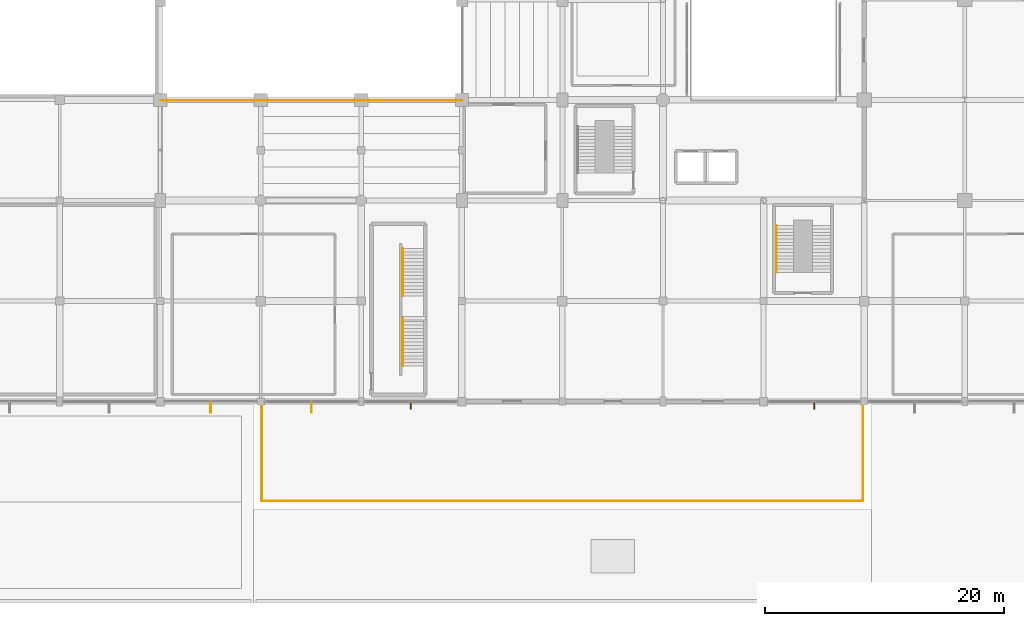
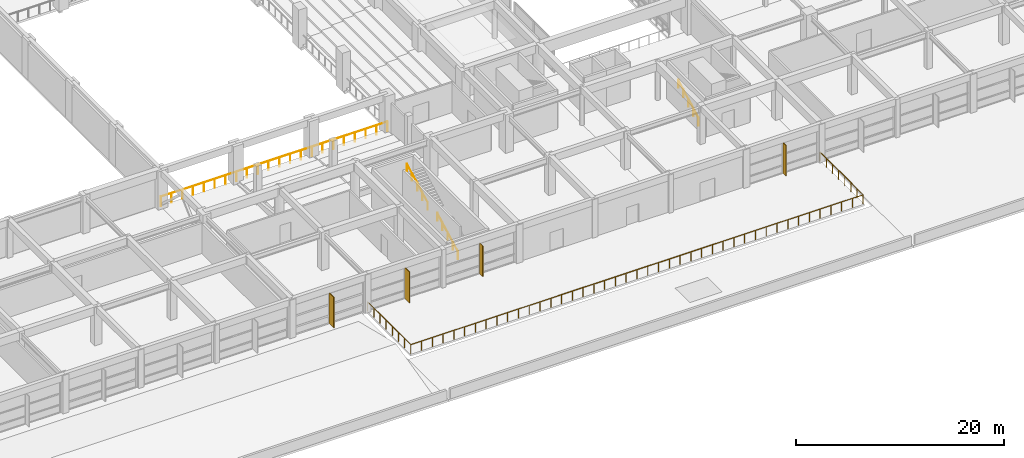
# One storey, part 54 of 60: 5 railings, 4 shading devices.
"""IFC4 building model written with IfcOpenShell, lengths in metres."""

from ifc_helpers import new_model, si_unit, direction, frame, origin, origin_2d, place, context, subcontext, project, spatial, rectangle, circle, extrude, material, type_object, element, save


model = new_model("IFC4")

# Units and contexts
model_context = context("Model", 3, precision=1e-05, world=origin(), true_north=direction((0.0, 1.0)))
body_context = subcontext(model_context, "Body", "Model", "MODEL_VIEW")
ifc_project = project(units=[si_unit("LENGTHUNIT", "METRE"), si_unit("AREAUNIT", "SQUARE_METRE"), si_unit("VOLUMEUNIT", "CUBIC_METRE"), si_unit("PLANEANGLEUNIT", "RADIAN"), si_unit("MASSUNIT", "GRAM", prefix="KILO")], contexts=[model_context])

# Site, building, storey
site_placement = place(None, origin())
site = spatial("IfcSite", under=ifc_project, at=site_placement, CompositionType="ELEMENT")
building_placement = place(site_placement, origin())
building = spatial("IfcBuilding", under=site, at=building_placement, Name="Xuanlan Plaza Opera House", CompositionType="ELEMENT")
storey_placement = place(building_placement, frame((0.0, 0.0, 9.89990234375)))
storey = spatial("IfcBuildingStorey", under=building, at=storey_placement, Name="L02", CompositionType="ELEMENT", Elevation=9.89990234375)

# Railing
ifc_material_1 = material(Name="Stainless Steel S30408 and Laminated Glass", Category="steel")
railing_type_1 = type_object("IfcRailingType", Name="ENV-RL-GR01", PredefinedType="GUARDRAIL", material=ifc_material_1)
railing_1_placement = place(storey_placement, frame((75.679931640625, 16.75, 0.0)))
element("IfcRailing", 1, at=railing_1_placement, inside=storey, type_object=railing_type_1, Name="Terrace Perimeter Guardrail TERR-L02", PredefinedType="GUARDRAIL", context=body_context, shape_type="SweptSolid", body=[
    extrude(circle(Radius=0.02392578125, at=origin_2d()), frame((0.0, 0.0, 1.076171875), z_axis=(0.0, -1.0, 0.0), x_axis=(1.0, 0.0, 0.0)), (0.0, 0.0, 1.0), 8.27001953125),
    extrude(circle(Radius=0.02392578125, at=origin_2d()), frame((0.0, -8.27001953125, 1.076171875), z_axis=(1.0, 0.0, 0.0), x_axis=(0.0, 1.0, 0.0)), (0.0, 0.0, 1.0), 50.239990234375),
    extrude(circle(Radius=0.02392578125, at=origin_2d()), frame((50.239990234375, -8.27001953125, 1.076171875), z_axis=(0.0, 1.0, 0.0), x_axis=(-1.0, 0.0, 0.0)), (0.0, 0.0, 1.0), 8.27001953125),
    extrude(circle(Radius=0.02099609375, at=origin_2d()), origin(), (0.0, 0.0, 1.0), 1.052001953125),
    extrude(circle(Radius=0.02099609375, at=origin_2d()), frame((0.0, -1.181396484375, 0.0)), (0.0, 0.0, 1.0), 1.052001953125),
    extrude(circle(Radius=0.02099609375, at=origin_2d()), frame((0.0, -2.36279296875, 0.0)), (0.0, 0.0, 1.0), 1.052001953125),
    extrude(circle(Radius=0.02099609375, at=origin_2d()), frame((0.0, -3.544189453125, 0.0)), (0.0, 0.0, 1.0), 1.052001953125),
    extrude(circle(Radius=0.02099609375, at=origin_2d()), frame((0.0, -4.725830078125, 0.0)), (0.0, 0.0, 1.0), 1.052001953125),
    extrude(circle(Radius=0.02099609375, at=origin_2d()), frame((0.0, -5.9072265625, 0.0)), (0.0, 0.0, 1.0), 1.052001953125),
    extrude(circle(Radius=0.02099609375, at=origin_2d()), frame((0.0, -7.088623046875, 0.0)), (0.0, 0.0, 1.0), 1.052001953125),
    extrude(circle(Radius=0.02099609375, at=origin_2d()), frame((0.0, -8.27001953125, 0.0)), (0.0, 0.0, 1.0), 1.052001953125),
    extrude(circle(Radius=0.02099609375, at=origin_2d()), frame((1.1962890625, -8.27001953125, 0.0)), (0.0, 0.0, 1.0), 1.052001953125),
    extrude(circle(Radius=0.02099609375, at=origin_2d()), frame((2.392333984375, -8.27001953125, 0.0)), (0.0, 0.0, 1.0), 1.052001953125),
    extrude(circle(Radius=0.02099609375, at=origin_2d()), frame((3.588623046875, -8.27001953125, 0.0)), (0.0, 0.0, 1.0), 1.052001953125),
    extrude(circle(Radius=0.02099609375, at=origin_2d()), frame((4.78466796875, -8.27001953125, 0.0)), (0.0, 0.0, 1.0), 1.052001953125),
    extrude(circle(Radius=0.02099609375, at=origin_2d()), frame((5.98095703125, -8.27001953125, 0.0)), (0.0, 0.0, 1.0), 1.052001953125),
    extrude(circle(Radius=0.02099609375, at=origin_2d()), frame((7.17724609375, -8.27001953125, 0.0)), (0.0, 0.0, 1.0), 1.052001953125),
    extrude(circle(Radius=0.02099609375, at=origin_2d()), frame((8.373291015625, -8.27001953125, 0.0)), (0.0, 0.0, 1.0), 1.052001953125),
    extrude(circle(Radius=0.02099609375, at=origin_2d()), frame((9.569580078125, -8.27001953125, 0.0)), (0.0, 0.0, 1.0), 1.052001953125),
    extrude(circle(Radius=0.02099609375, at=origin_2d()), frame((10.765625, -8.27001953125, 0.0)), (0.0, 0.0, 1.0), 1.052001953125),
    extrude(circle(Radius=0.02099609375, at=origin_2d()), frame((11.9619140625, -8.27001953125, 0.0)), (0.0, 0.0, 1.0), 1.052001953125),
    extrude(circle(Radius=0.02099609375, at=origin_2d()), frame((13.158203125, -8.27001953125, 0.0)), (0.0, 0.0, 1.0), 1.052001953125),
    extrude(circle(Radius=0.02099609375, at=origin_2d()), frame((14.354248046875, -8.27001953125, 0.0)), (0.0, 0.0, 1.0), 1.052001953125),
    extrude(circle(Radius=0.02099609375, at=origin_2d()), frame((15.550537109375, -8.27001953125, 0.0)), (0.0, 0.0, 1.0), 1.052001953125),
    extrude(circle(Radius=0.02099609375, at=origin_2d()), frame((16.74658203125, -8.27001953125, 0.0)), (0.0, 0.0, 1.0), 1.052001953125),
    extrude(circle(Radius=0.02099609375, at=origin_2d()), frame((17.94287109375, -8.27001953125, 0.0)), (0.0, 0.0, 1.0), 1.052001953125),
    extrude(circle(Radius=0.02099609375, at=origin_2d()), frame((19.13916015625, -8.27001953125, 0.0)), (0.0, 0.0, 1.0), 1.052001953125),
    extrude(circle(Radius=0.02099609375, at=origin_2d()), frame((20.335205078125, -8.27001953125, 0.0)), (0.0, 0.0, 1.0), 1.052001953125),
    extrude(circle(Radius=0.02099609375, at=origin_2d()), frame((21.531494140625, -8.27001953125, 0.0)), (0.0, 0.0, 1.0), 1.052001953125),
    extrude(circle(Radius=0.02099609375, at=origin_2d()), frame((22.7275390625, -8.27001953125, 0.0)), (0.0, 0.0, 1.0), 1.052001953125),
    extrude(circle(Radius=0.02099609375, at=origin_2d()), frame((23.923828125, -8.27001953125, 0.0)), (0.0, 0.0, 1.0), 1.052001953125),
    extrude(circle(Radius=0.02099609375, at=origin_2d()), frame((25.1201171875, -8.27001953125, 0.0)), (0.0, 0.0, 1.0), 1.052001953125),
    extrude(circle(Radius=0.02099609375, at=origin_2d()), frame((26.316162109375, -8.27001953125, 0.0)), (0.0, 0.0, 1.0), 1.052001953125),
    extrude(circle(Radius=0.02099609375, at=origin_2d()), frame((27.512451171875, -8.27001953125, 0.0)), (0.0, 0.0, 1.0), 1.052001953125),
    extrude(circle(Radius=0.02099609375, at=origin_2d()), frame((28.70849609375, -8.27001953125, 0.0)), (0.0, 0.0, 1.0), 1.052001953125),
    extrude(circle(Radius=0.02099609375, at=origin_2d()), frame((29.90478515625, -8.27001953125, 0.0)), (0.0, 0.0, 1.0), 1.052001953125),
    extrude(circle(Radius=0.02099609375, at=origin_2d()), frame((31.100830078125, -8.27001953125, 0.0)), (0.0, 0.0, 1.0), 1.052001953125),
    extrude(circle(Radius=0.02099609375, at=origin_2d()), frame((32.297119140625, -8.27001953125, 0.0)), (0.0, 0.0, 1.0), 1.052001953125),
    extrude(circle(Radius=0.02099609375, at=origin_2d()), frame((33.493408203125, -8.27001953125, 0.0)), (0.0, 0.0, 1.0), 1.052001953125),
    extrude(circle(Radius=0.02099609375, at=origin_2d()), frame((34.689453125, -8.27001953125, 0.0)), (0.0, 0.0, 1.0), 1.052001953125),
    extrude(circle(Radius=0.02099609375, at=origin_2d()), frame((35.8857421875, -8.27001953125, 0.0)), (0.0, 0.0, 1.0), 1.052001953125),
    extrude(circle(Radius=0.02099609375, at=origin_2d()), frame((37.081787109375, -8.27001953125, 0.0)), (0.0, 0.0, 1.0), 1.052001953125),
    extrude(circle(Radius=0.02099609375, at=origin_2d()), frame((38.278076171875, -8.27001953125, 0.0)), (0.0, 0.0, 1.0), 1.052001953125),
    extrude(circle(Radius=0.02099609375, at=origin_2d()), frame((39.474365234375, -8.27001953125, 0.0)), (0.0, 0.0, 1.0), 1.052001953125),
    extrude(circle(Radius=0.02099609375, at=origin_2d()), frame((40.67041015625, -8.27001953125, 0.0)), (0.0, 0.0, 1.0), 1.052001953125),
    extrude(circle(Radius=0.02099609375, at=origin_2d()), frame((41.86669921875, -8.27001953125, 0.0)), (0.0, 0.0, 1.0), 1.052001953125),
    extrude(circle(Radius=0.02099609375, at=origin_2d()), frame((43.062744140625, -8.27001953125, 0.0)), (0.0, 0.0, 1.0), 1.052001953125),
    extrude(circle(Radius=0.02099609375, at=origin_2d()), frame((44.259033203125, -8.27001953125, 0.0)), (0.0, 0.0, 1.0), 1.052001953125),
    extrude(circle(Radius=0.02099609375, at=origin_2d()), frame((45.455322265625, -8.27001953125, 0.0)), (0.0, 0.0, 1.0), 1.052001953125),
    extrude(circle(Radius=0.02099609375, at=origin_2d()), frame((46.6513671875, -8.27001953125, 0.0)), (0.0, 0.0, 1.0), 1.052001953125),
    extrude(circle(Radius=0.02099609375, at=origin_2d()), frame((47.84765625, -8.27001953125, 0.0)), (0.0, 0.0, 1.0), 1.052001953125),
    extrude(circle(Radius=0.02099609375, at=origin_2d()), frame((49.043701171875, -8.27001953125, 0.0)), (0.0, 0.0, 1.0), 1.052001953125),
    extrude(circle(Radius=0.02099609375, at=origin_2d()), frame((50.239990234375, -8.27001953125, 0.0)), (0.0, 0.0, 1.0), 1.052001953125),
    extrude(circle(Radius=0.02099609375, at=origin_2d()), frame((50.239990234375, -7.088623046875, 0.0)), (0.0, 0.0, 1.0), 1.052001953125),
    extrude(circle(Radius=0.02099609375, at=origin_2d()), frame((50.239990234375, -5.9072265625, 0.0)), (0.0, 0.0, 1.0), 1.052001953125),
    extrude(circle(Radius=0.02099609375, at=origin_2d()), frame((50.239990234375, -4.725830078125, 0.0)), (0.0, 0.0, 1.0), 1.052001953125),
    extrude(circle(Radius=0.02099609375, at=origin_2d()), frame((50.239990234375, -3.544189453125, 0.0)), (0.0, 0.0, 1.0), 1.052001953125),
    extrude(circle(Radius=0.02099609375, at=origin_2d()), frame((50.239990234375, -2.36279296875, 0.0)), (0.0, 0.0, 1.0), 1.052001953125),
    extrude(circle(Radius=0.02099609375, at=origin_2d()), frame((50.239990234375, -1.181396484375, 0.0)), (0.0, 0.0, 1.0), 1.052001953125),
    extrude(circle(Radius=0.02099609375, at=origin_2d()), frame((50.239990234375, 0.0, 0.0)), (0.0, 0.0, 1.0), 1.052001953125),
])

# Shading devices
ifc_material_2 = material(Name="Anodised Aluminium 6063-T6", Category="aluminium")
shading_device_type_1 = type_object("IfcShadingDeviceType", Name="ENV-SHD-BRS01", PredefinedType="JALOUSIE", material=ifc_material_2)
for number, where, z_axis, x_axis, name in (
    (2, (88.137451171875, 16.47509765625, 0.0400390625), (0.0, 0.0, 1.0), (0.0, -1.0, 0.0), "Parametric Sunshade Fin L02-0109"),
    (3, (121.824951171875, 16.47509765625, 0.0400390625), (0.0, 0.0, 1.0), (0.0, -1.0, 0.0), "Parametric Sunshade Fin L02-0110"),
):
    element("IfcShadingDevice", number, at=place(storey_placement, frame(where, z_axis=z_axis, x_axis=x_axis)), inside=storey, type_object=shading_device_type_1, Name=name, PredefinedType="JALOUSIE", context=body_context, shape_type="SweptSolid", body=[
        extrude(rectangle(XDim=0.639892578125, YDim=0.070068359375, at=origin_2d()), origin(), (0.0, 0.0, 1.0), 3.60009765625),
    ])
shading_device_type_2 = type_object("IfcShadingDeviceType", Name="ENV-SHD-BRS02", PredefinedType="JALOUSIE", material=ifc_material_2)
for number, where, z_axis, x_axis, name in (
    (4, (71.425048828125, 16.3349609375, 0.0400390625), (0.0, 0.0, 1.0), (0.0, -1.0, 0.0), "Parametric Sunshade Fin L02-0107"),
    (5, (79.83740234375, 16.3349609375, 0.0400390625), (0.0, 0.0, 1.0), (0.0, -1.0, 0.0), "Parametric Sunshade Fin L02-0108"),
):
    element("IfcShadingDevice", number, at=place(storey_placement, frame(where, z_axis=z_axis, x_axis=x_axis)), inside=storey, type_object=shading_device_type_2, Name=name, PredefinedType="JALOUSIE", context=body_context, shape_type="SweptSolid", body=[
        extrude(rectangle(XDim=0.919921875, YDim=0.080078125, at=origin_2d()), origin(), (0.0, 0.0, 1.0), 3.60009765625),
    ])

# Railings
railing_type_2 = type_object("IfcRailingType", Name="INT-RL-GR03", PredefinedType="GUARDRAIL", material=ifc_material_1)
railing_2_placement = place(storey_placement, frame((67.25, 41.949951171875, 0.0)))
element("IfcRailing", 6, at=railing_2_placement, inside=storey, type_object=railing_type_2, Name="Auditorium Bowl Side Guardrail L02 S", PredefinedType="GUARDRAIL", context=body_context, shape_type="SweptSolid", body=[
    extrude(circle(Radius=0.02392578125, at=origin_2d()), frame((0.0, 0.0, 1.09619140625), z_axis=(1.0, 0.0, 0.0), x_axis=(0.0, 1.0, 0.0)), (0.0, 0.0, 1.0), 25.14990234375),
    extrude(circle(Radius=0.02099609375, at=origin_2d()), origin(), (0.0, 0.0, 1.0), 1.072021484375),
    extrude(circle(Radius=0.02099609375, at=origin_2d()), frame((1.197509765625, 0.0, 0.0)), (0.0, 0.0, 1.0), 1.072021484375),
    extrude(circle(Radius=0.02099609375, at=origin_2d()), frame((2.395263671875, 0.0, 0.0)), (0.0, 0.0, 1.0), 1.072021484375),
    extrude(circle(Radius=0.02099609375, at=origin_2d()), frame((3.5927734375, 0.0, 0.0)), (0.0, 0.0, 1.0), 1.072021484375),
    extrude(circle(Radius=0.02099609375, at=origin_2d()), frame((4.79052734375, 0.0, 0.0)), (0.0, 0.0, 1.0), 1.072021484375),
    extrude(circle(Radius=0.02099609375, at=origin_2d()), frame((5.988037109375, 0.0, 0.0)), (0.0, 0.0, 1.0), 1.072021484375),
    extrude(circle(Radius=0.02099609375, at=origin_2d()), frame((7.185791015625, 0.0, 0.0)), (0.0, 0.0, 1.0), 1.072021484375),
    extrude(circle(Radius=0.02099609375, at=origin_2d()), frame((8.38330078125, 0.0, 0.0)), (0.0, 0.0, 1.0), 1.072021484375),
    extrude(circle(Radius=0.02099609375, at=origin_2d()), frame((9.580810546875, 0.0, 0.0)), (0.0, 0.0, 1.0), 1.072021484375),
    extrude(circle(Radius=0.02099609375, at=origin_2d()), frame((10.778564453125, 0.0, 0.0)), (0.0, 0.0, 1.0), 1.072021484375),
    extrude(circle(Radius=0.02099609375, at=origin_2d()), frame((11.97607421875, 0.0, 0.0)), (0.0, 0.0, 1.0), 1.072021484375),
    extrude(circle(Radius=0.02099609375, at=origin_2d()), frame((13.173828125, 0.0, 0.0)), (0.0, 0.0, 1.0), 1.072021484375),
    extrude(circle(Radius=0.02099609375, at=origin_2d()), frame((14.371337890625, 0.0, 0.0)), (0.0, 0.0, 1.0), 1.072021484375),
    extrude(circle(Radius=0.02099609375, at=origin_2d()), frame((15.569091796875, 0.0, 0.0)), (0.0, 0.0, 1.0), 1.072021484375),
    extrude(circle(Radius=0.02099609375, at=origin_2d()), frame((16.7666015625, 0.0, 0.0)), (0.0, 0.0, 1.0), 1.072021484375),
    extrude(circle(Radius=0.02099609375, at=origin_2d()), frame((17.964111328125, 0.0, 0.0)), (0.0, 0.0, 1.0), 1.072021484375),
    extrude(circle(Radius=0.02099609375, at=origin_2d()), frame((19.161865234375, 0.0, 0.0)), (0.0, 0.0, 1.0), 1.072021484375),
    extrude(circle(Radius=0.02099609375, at=origin_2d()), frame((20.359375, 0.0, 0.0)), (0.0, 0.0, 1.0), 1.072021484375),
    extrude(circle(Radius=0.02099609375, at=origin_2d()), frame((21.55712890625, 0.0, 0.0)), (0.0, 0.0, 1.0), 1.072021484375),
    extrude(circle(Radius=0.02099609375, at=origin_2d()), frame((22.754638671875, 0.0, 0.0)), (0.0, 0.0, 1.0), 1.072021484375),
    extrude(circle(Radius=0.02099609375, at=origin_2d()), frame((23.952392578125, 0.0, 0.0)), (0.0, 0.0, 1.0), 1.072021484375),
    extrude(circle(Radius=0.02099609375, at=origin_2d()), frame((25.14990234375, 0.0, 0.0)), (0.0, 0.0, 1.0), 1.072021484375),
])
ifc_material_3 = material(Name="Stainless Steel S30408", Category="steel")
railing_type_3 = type_object("IfcRailingType", Name="INT-RL-HR01", PredefinedType="HANDRAIL", material=ifc_material_3)
for number, where, name in (
    (7, (87.4599609375, 19.77001953125, 0.150146484375), "Stair Handrail ST-P3 L02 Flight 1"),
    (8, (87.4599609375, 25.610107421875, 2.400146484375), "Stair Handrail ST-P3 L02 Flight 2"),
):
    element("IfcRailing", number, at=place(storey_placement, frame(where)), inside=storey, type_object=railing_type_3, Name=name, PredefinedType="HANDRAIL", context=body_context, shape_type="SweptSolid", body=[
        extrude(circle(Radius=0.02392578125, at=origin_2d()), frame((0.0, 0.0, 0.8759765625), z_axis=(0.0, 0.884931142248, 0.465721884261), x_axis=(-1.0, 0.0, 0.0)), (0.0, 0.0, 1.0), 4.5087890625),
        extrude(circle(Radius=0.02099609375, at=origin_2d()), origin(), (0.0, 0.0, 1.0), 0.851806640625),
        extrude(circle(Radius=0.02099609375, at=origin_2d()), frame((0.0, 0.99755859375, 0.52490234375)), (0.0, 0.0, 1.0), 0.851806640625),
        extrude(circle(Radius=0.02099609375, at=origin_2d()), frame((0.0, 1.9951171875, 1.0498046875)), (0.0, 0.0, 1.0), 0.851806640625),
        extrude(circle(Radius=0.02099609375, at=origin_2d()), frame((0.0, 2.992431640625, 1.574951171875)), (0.0, 0.0, 1.0), 0.851806640625),
        extrude(circle(Radius=0.02099609375, at=origin_2d()), frame((0.0, 3.989990234375, 2.099853515625)), (0.0, 0.0, 1.0), 0.851806640625),
    ])
railing_type_4 = type_object("IfcRailingType", Name="INT-RL-HR02", PredefinedType="HANDRAIL", material=ifc_material_3)
railing_3_placement = place(storey_placement, frame((118.679931640625, 27.580078125, 0.150146484375)))
element("IfcRailing", 9, at=railing_3_placement, inside=storey, type_object=railing_type_4, Name="Feature Stair Handrail ST-F3 L02 Flight 1", PredefinedType="HANDRAIL", context=body_context, shape_type="SweptSolid", body=[
    extrude(circle(Radius=0.02392578125, at=origin_2d()), frame((0.0, 0.0, 0.89599609375), z_axis=(0.0, 0.881489763865, 0.472203130232), x_axis=(-1.0, 0.0, 0.0)), (0.0, 0.0, 1.0), 4.447021484375),
    extrude(circle(Radius=0.02099609375, at=origin_2d()), origin(), (0.0, 0.0, 1.0), 0.871826171875),
    extrude(circle(Radius=0.02099609375, at=origin_2d()), frame((0.0, 0.97998046875, 0.52490234375)), (0.0, 0.0, 1.0), 0.871826171875),
    extrude(circle(Radius=0.02099609375, at=origin_2d()), frame((0.0, 1.9599609375, 1.0498046875)), (0.0, 0.0, 1.0), 0.871826171875),
    extrude(circle(Radius=0.02099609375, at=origin_2d()), frame((0.0, 2.93994140625, 1.574951171875)), (0.0, 0.0, 1.0), 0.871826171875),
    extrude(circle(Radius=0.02099609375, at=origin_2d()), frame((0.0, 3.919921875, 2.099853515625)), (0.0, 0.0, 1.0), 0.871826171875),
])

save(model, "model.ifc")
